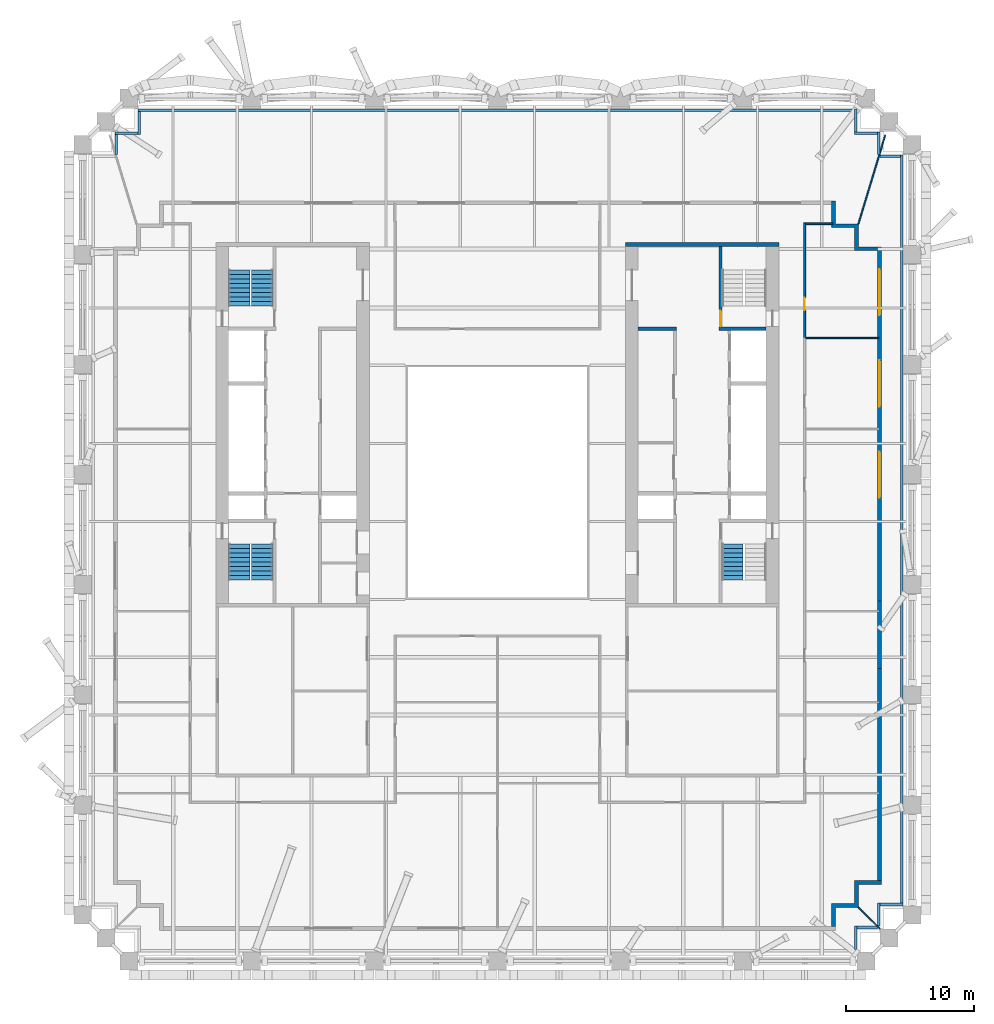
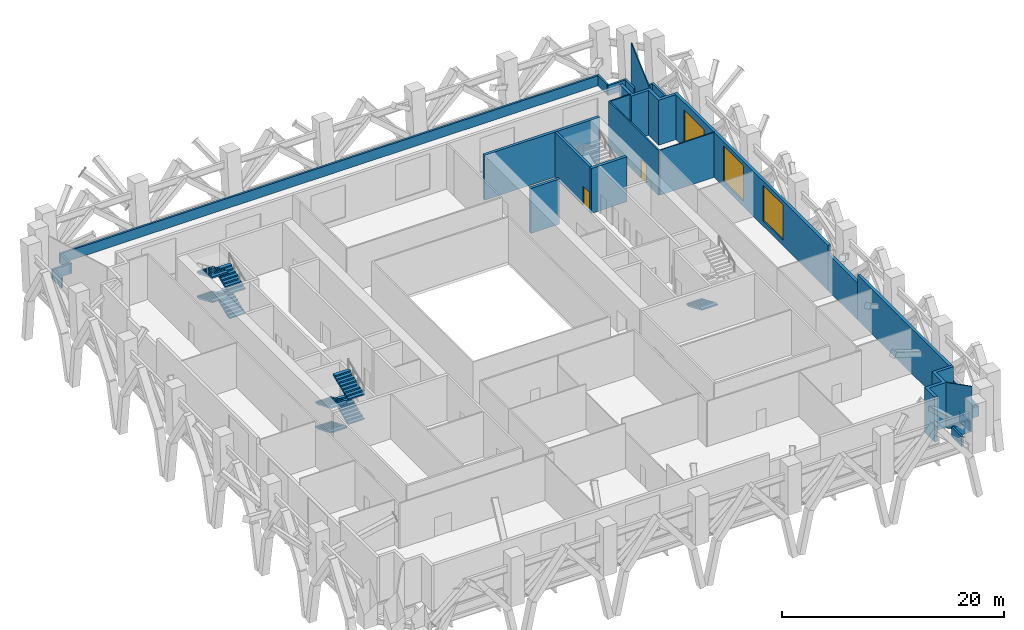
# One storey, part 9 of 19: 27 walls, 9 stair flights, 3 windows, 2 doors, 5 openings, 3 elements without a shape of their own.
"""IFC4 building model written with IfcOpenShell, lengths in metres."""

from ifc_helpers import new_model, si_unit, direction, frame, frame_2d, origin, place, context, subcontext, project, spatial, polyline, rectangle, outline, extrude, material, layer, layer_set, type_object, element, fill, aggregate, save


model = new_model("IFC4")

# Units and contexts
model_context = context("Model", 3, precision=1e-05, world=origin(), true_north=direction((0.0, 1.0)))
body_context = subcontext(model_context, "Body", "Model", "MODEL_VIEW")
ifc_project = project(units=[si_unit("LENGTHUNIT", "METRE"), si_unit("AREAUNIT", "SQUARE_METRE"), si_unit("VOLUMEUNIT", "CUBIC_METRE"), si_unit("PLANEANGLEUNIT", "RADIAN"), si_unit("MASSUNIT", "GRAM", prefix="KILO")], contexts=[model_context])

# Site, building, storey
site_placement = place(None, origin())
site = spatial("IfcSite", under=ifc_project, at=site_placement, CompositionType="ELEMENT")
building_placement = place(site_placement, origin())
building = spatial("IfcBuilding", under=site, at=building_placement, Name="Ogive Exchange Tower", CompositionType="ELEMENT")
storey_placement = place(building_placement, frame((0.0, 0.0, 94.199951171875)))
storey = spatial("IfcBuildingStorey", under=building, at=storey_placement, Name="L20", CompositionType="ELEMENT", Elevation=94.199951171875)

# Wall
ifc_material_1 = material(Name="Gypsum board partition")
ifc_layer_1 = layer(ifc_material_1, 0.300048828125)
ifc_layer_set_1 = layer_set([ifc_layer_1], Name="Core room partition 300 gypsum")
wall_type_1 = type_object("IfcWallType", Name="Core room partition 300 gypsum", PredefinedType="PARTITIONING", material=ifc_layer_set_1)
wall_1_placement = place(storey_placement, frame((11.0, 19.0, 0.0), z_axis=(0.0, 0.0, 1.0), x_axis=(1.0, 0.0, 0.0)))
element("IfcWall", 1, at=wall_1_placement, inside=storey, type_object=wall_type_1, Name="E row B room end wall 7", PredefinedType="PARTITIONING", context=body_context, shape_type="SweptSolid", body=[
    extrude(rectangle(XDim=3.0, YDim=0.300048828125, at=frame_2d((1.5, 0.0))), origin(), (0.0, 0.0, 1.0), 4.949951171875),
])

# Wall, opening, door
ifc_material_2 = material(Name="Fire partition EI 60 150")
ifc_layer_2 = layer(ifc_material_2, 0.14990234375)
ifc_layer_set_2 = layer_set([ifc_layer_2], Name="Fire partition EI 60 150")
wall_type_2 = type_object("IfcWallType", Name="Fire partition EI 60 150", PredefinedType="PARTITIONING", material=ifc_layer_set_2)
wall_2_placement = place(storey_placement, frame((24.0, 27.284912109375, 0.0), z_axis=(0.0, 0.0, 1.0), x_axis=(0.0, -1.0, 0.0)))
wall_2 = element("IfcWall", 2, at=wall_2_placement, inside=storey, type_object=wall_type_2, Name="L20-PWL-043", PredefinedType="PARTITIONING", context=body_context, shape_type="SweptSolid", body=[
    extrude(rectangle(XDim=8.994873046875, YDim=0.14990234375, at=frame_2d((4.49755859375, 0.0))), origin(), (0.0, 0.0, 1.0), 4.949951171875),
])
opening_1_placement = place(wall_2_placement, frame((5.844970703125, 0.0, 0.0)))
opening_1 = element("IfcOpeningElement", 3, at=opening_1_placement, cuts=wall_2, Name="Opening L20-I05", PredefinedType="OPENING", context=body_context, shape_type="SweptSolid", body=[
    extrude(rectangle(XDim=1.0, YDim=2.10009765625, at=frame_2d((0.5, 1.050048828125))), frame((0.0, 0.0849609375, 0.0), z_axis=(0.0, -1.0, 0.0), x_axis=(1.0, 0.0, 0.0)), (0.0, 0.0, 1.0), 0.169921875),
])
ifc_material_3 = material(Name="Fire door FD 30S 1000 x 2100")
door_type_1 = type_object("IfcDoorType", Name="Fire door FD 30S 1000 x 2100", OperationType="NOTDEFINED", PredefinedType="DOOR", material=ifc_material_3)
door_1_placement = place(opening_1_placement, origin())
door_1 = element("IfcDoor", 4, at=door_1_placement, inside=storey, type_object=door_type_1, Name="L20-IDR-005", ObjectType="DT3", OperationType="SINGLE_SWING_LEFT", OverallHeight=2.10009765625, OverallWidth=1.0, PredefinedType="DOOR", context=body_context, shape_type="SweptSolid", body=[
    extrude(rectangle(XDim=1.0, YDim=2.10009765625, at=frame_2d((0.5, 1.050048828125))), frame((0.0, 0.02490234375, 0.0), z_axis=(0.0, -1.0, 0.0), x_axis=(1.0, 0.0, 0.0)), (0.0, 0.0, 1.0), 0.050048828125),
])
fill(opening_1, door_1)

# Walls
wall_3_placement = place(storey_placement, frame((26.199951171875, 27.2099609375, 0.0), z_axis=(0.0, 0.0, 1.0), x_axis=(-1.0, 0.0, 0.0)))
element("IfcWall", 5, at=wall_3_placement, inside=storey, type_object=wall_type_2, Name="L20-PWL-044", PredefinedType="PARTITIONING", context=body_context, shape_type="SweptSolid", body=[
    extrude(rectangle(XDim=2.125, YDim=0.14990234375, at=frame_2d((1.0625, 0.0))), origin(), (0.0, 0.0, 1.0), 4.949951171875),
])
ifc_material_4 = material(Name="Precast concrete C40/50", Category="concrete")
ifc_layer_3 = layer(ifc_material_4, 0.300048828125)
ifc_layer_set_3 = layer_set([ifc_layer_3], Name="Limestone-faced wall 300")
wall_type_3 = type_object("IfcWallType", Name="Limestone-faced wall 300", PredefinedType="STANDARD", material=ifc_layer_set_3)
wall_4_placement = place(storey_placement, frame((29.85009765625, -24.10009765625, 0.0), z_axis=(0.0, 0.0, 1.0), x_axis=(0.0, 1.0, 0.0)))
element("IfcWall", 6, at=wall_4_placement, inside=storey, type_object=wall_type_3, Name="External wall E2", PredefinedType="STANDARD", context=body_context, shape_type="SweptSolid", body=[
    extrude(rectangle(XDim=16.547119140625, YDim=0.300048828125, at=frame_2d((8.2734375, 0.0))), origin(), (0.0, 0.0, 1.0), 4.949951171875),
])
wall_5_placement = place(storey_placement, origin())
element("IfcWall", 7, at=wall_5_placement, inside=storey, type_object=wall_type_3, Name="External corner wall C1", PredefinedType="STANDARD", context=body_context, shape_type="SweptSolid", body=[
    extrude(outline(polyline([(27.89990234375, -25.89990234375), (27.89990234375, -24.10009765625), (30.0, -24.10009765625), (30.0, -24.39990234375), (28.199951171875, -24.39990234375), (28.199951171875, -26.199951171875), (26.39990234375, -26.199951171875), (26.39990234375, -27.699951171875), (26.10009765625, -27.699951171875), (26.10009765625, -25.89990234375), (27.89990234375, -25.89990234375)])), origin(), (0.0, 0.0, 1.0), 4.949951171875),
])
wall_6_placement = place(storey_placement, origin())
element("IfcWall", 8, at=wall_6_placement, inside=storey, type_object=wall_type_3, Name="External corner wall C2", PredefinedType="STANDARD", context=body_context, shape_type="SweptSolid", body=[
    extrude(outline(polyline([(27.89990234375, 26.89990234375), (26.10009765625, 26.89990234375), (26.10009765625, 29.0), (26.39990234375, 29.0), (26.39990234375, 27.199951171875), (28.199951171875, 27.199951171875), (28.199951171875, 25.39990234375), (29.699951171875, 25.39990234375), (29.699951171875, 25.10009765625), (27.89990234375, 25.10009765625), (27.89990234375, 26.89990234375)])), origin(), (0.0, 0.0, 1.0), 4.949951171875),
])
wall_7_placement = place(storey_placement, frame((29.85009765625, -7.552978515625, 0.0), z_axis=(0.0, 0.0, 1.0), x_axis=(0.0, 1.0, 0.0)))
element("IfcWall", 9, at=wall_7_placement, inside=storey, type_object=wall_type_3, Name="External wall E2", PredefinedType="STANDARD", context=body_context, shape_type="SweptSolid", body=[
    extrude(rectangle(XDim=5.300537109375, YDim=0.300048828125, at=frame_2d((2.650390625, 0.0))), origin(), (0.0, 0.0, 1.0), 4.050048828125),
])

# Wall, openings, windows
wall_8_placement = place(storey_placement, frame((29.85009765625, -2.25244140625, 0.0), z_axis=(0.0, 0.0, 1.0), x_axis=(0.0, 1.0, 0.0)))
wall_8 = element("IfcWall", 10, at=wall_8_placement, inside=storey, type_object=wall_type_3, Name="External wall E2", PredefinedType="STANDARD", context=body_context, shape_type="SweptSolid", body=[
    extrude(rectangle(XDim=27.65234375, YDim=0.300048828125, at=frame_2d((13.826171875, 0.0))), origin(), (0.0, 0.0, 1.0), 4.949951171875),
])
opening_2_placement = place(wall_8_placement, frame((8.066650390625, 0.0, 0.60009765625)))
opening_2 = element("IfcOpeningElement", 11, at=opening_2_placement, cuts=wall_8, Name="Opening LV1", PredefinedType="OPENING", context=body_context, shape_type="SweptSolid", body=[
    extrude(rectangle(XDim=3.60009765625, YDim=3.89990234375, at=frame_2d((1.800048828125, 1.949951171875))), frame((0.0, 0.159912109375, 0.0), z_axis=(0.0, -1.0, 0.0), x_axis=(1.0, 0.0, 0.0)), (0.0, 0.0, 1.0), 0.320068359375),
])
opening_3_placement = place(wall_8_placement, frame((15.180908203125, 0.0, 0.60009765625)))
opening_3 = element("IfcOpeningElement", 12, at=opening_3_placement, cuts=wall_8, Name="Opening LV1", PredefinedType="OPENING", context=body_context, shape_type="SweptSolid", body=[
    extrude(rectangle(XDim=3.60009765625, YDim=3.89990234375, at=frame_2d((1.800048828125, 1.949951171875))), frame((0.0, 0.159912109375, 0.0), z_axis=(0.0, -1.0, 0.0), x_axis=(1.0, 0.0, 0.0)), (0.0, 0.0, 1.0), 0.320068359375),
])
opening_4_placement = place(wall_8_placement, frame((22.29541015625, 0.0, 0.60009765625)))
opening_4 = element("IfcOpeningElement", 13, at=opening_4_placement, cuts=wall_8, Name="Opening LV1E", PredefinedType="OPENING", context=body_context, shape_type="SweptSolid", body=[
    extrude(rectangle(XDim=3.60009765625, YDim=3.550048828125, at=frame_2d((1.800048828125, 1.77490234375))), frame((0.0, 0.159912109375, 0.0), z_axis=(0.0, -1.0, 0.0), x_axis=(1.0, 0.0, 0.0)), (0.0, 0.0, 1.0), 0.320068359375),
])
ifc_material_5 = material(Name="Anodised aluminium louvre", Category="aluminium")
window_type_1 = type_object("IfcWindowType", Name="Plant louvre 3600 x 3550", PartitioningType="DOUBLE_PANEL_HORIZONTAL", PredefinedType="WINDOW", material=ifc_material_5)
window_1_placement = place(opening_4_placement, origin())
window_1 = element("IfcWindow", 14, at=window_1_placement, inside=storey, type_object=window_type_1, Name="Louvre E06", OverallHeight=3.550048828125, OverallWidth=3.60009765625, PartitioningType="DOUBLE_PANEL_HORIZONTAL", PredefinedType="WINDOW", context=body_context, shape_type="SweptSolid", body=[
    extrude(rectangle(XDim=3.60009765625, YDim=3.550048828125, at=frame_2d((1.800048828125, 1.77490234375))), frame((0.0, 0.030029296875, 0.0), z_axis=(0.0, -1.0, 0.0), x_axis=(1.0, 0.0, 0.0)), (0.0, 0.0, 1.0), 0.06005859375),
])
fill(opening_4, window_1)
window_type_2 = type_object("IfcWindowType", Name="Plant louvre 3600 x 3900", PartitioningType="DOUBLE_PANEL_HORIZONTAL", PredefinedType="WINDOW", material=ifc_material_5)
window_2_placement = place(opening_2_placement, origin())
window_2 = element("IfcWindow", 15, at=window_2_placement, inside=storey, type_object=window_type_2, Name="Louvre E04", OverallHeight=3.89990234375, OverallWidth=3.60009765625, PartitioningType="DOUBLE_PANEL_HORIZONTAL", PredefinedType="WINDOW", context=body_context, shape_type="SweptSolid", body=[
    extrude(rectangle(XDim=3.60009765625, YDim=3.89990234375, at=frame_2d((1.800048828125, 1.949951171875))), frame((0.0, 0.030029296875, 0.0), z_axis=(0.0, -1.0, 0.0), x_axis=(1.0, 0.0, 0.0)), (0.0, 0.0, 1.0), 0.06005859375),
])
fill(opening_2, window_2)
window_3_placement = place(opening_3_placement, origin())
window_3 = element("IfcWindow", 16, at=window_3_placement, inside=storey, type_object=window_type_2, Name="Louvre E05", OverallHeight=3.89990234375, OverallWidth=3.60009765625, PartitioningType="DOUBLE_PANEL_HORIZONTAL", PredefinedType="WINDOW", context=body_context, shape_type="SweptSolid", body=[
    extrude(rectangle(XDim=3.60009765625, YDim=3.89990234375, at=frame_2d((1.800048828125, 1.949951171875))), frame((0.0, 0.030029296875, 0.0), z_axis=(0.0, -1.0, 0.0), x_axis=(1.0, 0.0, 0.0)), (0.0, 0.0, 1.0), 0.06005859375),
])
fill(opening_3, window_3)

# Walls
ifc_material_6 = material(Name="Laminated safety glass in steel frame", Category="steel")
ifc_layer_4 = layer(ifc_material_6, 0.10009765625)
ifc_layer_set_4 = layer_set([ifc_layer_4], Name="Loggia end screen 100")
wall_type_4 = type_object("IfcWallType", Name="Loggia end screen 100", PredefinedType="STANDARD", material=ifc_layer_set_4)
wall_9_placement = place(storey_placement, frame((28.199951171875, -26.199951171875, -0.050048828125), z_axis=(0.0, 0.0, 1.0), x_axis=(0.707106781187, -0.707106781187, 0.0)))
element("IfcWall", 17, at=wall_9_placement, inside=storey, type_object=wall_type_4, Name="Loggia end screen C1", PredefinedType="STANDARD", context=body_context, shape_type="SweptSolid", body=[
    extrude(rectangle(XDim=2.384521484375, YDim=0.10009765625, at=frame_2d((1.1923828125, 0.0))), origin(), (0.0, 0.0, 1.0), 5.0),
])
wall_10_placement = place(storey_placement, frame((28.199951171875, 27.199951171875, -0.050048828125), z_axis=(0.0, 0.0, 1.0), x_axis=(0.29036881155, 0.956914809834, 0.0)))
element("IfcWall", 18, at=wall_10_placement, inside=storey, type_object=wall_type_4, Name="Loggia end screen C2", PredefinedType="STANDARD", context=body_context, shape_type="SweptSolid", body=[
    extrude(rectangle(XDim=7.255126953125, YDim=0.10009765625, at=frame_2d((3.62744140625, 0.0))), origin(), (0.0, 0.0, 1.0), 5.0),
])
ifc_material_7 = material(Name="Partition 100 gypsum")
ifc_layer_5 = layer(ifc_material_7, 0.10009765625)
ifc_layer_set_5 = layer_set([ifc_layer_5], Name="Partition 100 gypsum")
wall_type_5 = type_object("IfcWallType", Name="Partition 100 gypsum", PredefinedType="PARTITIONING", material=ifc_layer_set_5)
wall_11_placement = place(storey_placement, frame((24.074951171875, 18.2900390625, 0.0), z_axis=(0.0, 0.0, 1.0), x_axis=(1.0, 0.0, 0.0)))
element("IfcWall", 19, at=wall_11_placement, inside=storey, type_object=wall_type_5, Name="L20-PWL-042", PredefinedType="PARTITIONING", context=body_context, shape_type="SweptSolid", body=[
    extrude(rectangle(XDim=5.72509765625, YDim=0.10009765625, at=frame_2d((2.862548828125, 0.0))), origin(), (0.0, 0.0, 1.0), 4.949951171875),
])
ifc_layer_6 = layer(ifc_material_4, 0.199951171875)
ifc_layer_set_6 = layer_set([ifc_layer_6], Name="Plant deck parapet 200")
wall_type_6 = type_object("IfcWallType", Name="Plant deck parapet 200", PredefinedType="STANDARD", material=ifc_layer_set_6)
wall_12_placement = place(storey_placement, frame((27.97998046875, -29.47998046875, -0.050048828125), z_axis=(0.0, 0.0, 1.0), x_axis=(0.0, 1.0, 0.0)))
element("IfcWall", 20, at=wall_12_placement, inside=storey, type_object=wall_type_6, Name="Plant deck parapet 2", PredefinedType="STANDARD", context=body_context, shape_type="SweptSolid", body=[
    extrude(rectangle(XDim=1.800048828125, YDim=0.199951171875, at=frame_2d((0.89990234375, 0.0))), origin(), (0.0, 0.0, 1.0), 1.10009765625),
])
wall_13_placement = place(storey_placement, frame((28.080078125, -27.780029296875, -0.050048828125), z_axis=(0.0, 0.0, 1.0), x_axis=(1.0, 0.0, 0.0)))
element("IfcWall", 21, at=wall_13_placement, inside=storey, type_object=wall_type_6, Name="Plant deck parapet 3", PredefinedType="STANDARD", context=body_context, shape_type="SweptSolid", body=[
    extrude(rectangle(XDim=1.60791015625, YDim=0.199951171875, at=frame_2d((0.803955078125, 0.0))), origin(), (0.0, 0.0, 1.0), 1.10009765625),
])
for number, where, z_axis, x_axis, name in (
    (22, (29.780029296875, -27.679931640625, -0.050048828125), (0.0, 0.0, 1.0), (0.0, 1.0, 0.0), "Plant deck parapet 4"),
    (23, (29.8798828125, -25.97998046875, -0.050048828125), (0.0, 0.0, 1.0), (1.0, 0.0, 0.0), "Plant deck parapet 5"),
):
    element("IfcWall", number, at=place(storey_placement, frame(where, z_axis=z_axis, x_axis=x_axis)), inside=storey, type_object=wall_type_6, Name=name, PredefinedType="STANDARD", context=body_context, shape_type="SweptSolid", body=[
        extrude(rectangle(XDim=1.800048828125, YDim=0.199951171875, at=frame_2d((0.89990234375, 0.0))), origin(), (0.0, 0.0, 1.0), 1.10009765625),
    ])
wall_14_placement = place(storey_placement, frame((31.580078125, -25.8798828125, -0.050048828125), z_axis=(0.0, 0.0, 1.0), x_axis=(0.0, 1.0, 0.0)))
element("IfcWall", 24, at=wall_14_placement, inside=storey, type_object=wall_type_6, Name="Plant deck parapet 6", PredefinedType="STANDARD", context=body_context, shape_type="SweptSolid", body=[
    extrude(rectangle(XDim=58.468994140625, YDim=0.199951171875, at=frame_2d((29.234375, 0.0))), origin(), (0.0, 0.0, 1.0), 1.10009765625),
])
wall_15_placement = place(storey_placement, frame((31.47998046875, 32.489013671875, -0.050048828125), z_axis=(0.0, 0.0, 1.0), x_axis=(-1.0, 0.0, 0.0)))
element("IfcWall", 25, at=wall_15_placement, inside=storey, type_object=wall_type_6, Name="Plant deck parapet 7", PredefinedType="STANDARD", context=body_context, shape_type="SweptSolid", body=[
    extrude(rectangle(XDim=1.607177734375, YDim=0.199951171875, at=frame_2d((0.8037109375, 0.0))), origin(), (0.0, 0.0, 1.0), 1.10009765625),
])
wall_16_placement = place(storey_placement, frame((29.780029296875, 32.630615234375, -0.050048828125), z_axis=(0.0, 0.0, 1.0), x_axis=(0.0, 1.0, 0.0)))
element("IfcWall", 26, at=wall_16_placement, inside=storey, type_object=wall_type_6, Name="Plant deck parapet 8", PredefinedType="STANDARD", context=body_context, shape_type="SweptSolid", body=[
    extrude(rectangle(XDim=1.758544921875, YDim=0.199951171875, at=frame_2d((0.87939453125, 0.0))), origin(), (0.0, 0.0, 1.0), 1.10009765625),
])
for number, where, z_axis, x_axis, name in (
    (27, (29.679931640625, 34.2890625, -0.050048828125), (0.0, 0.0, 1.0), (-1.0, 0.0, 0.0), "Plant deck parapet 9"),
    (28, (27.97998046875, 34.38916015625, -0.050048828125), (0.0, 0.0, 1.0), (0.0, 1.0, 0.0), "Plant deck parapet 10"),
):
    element("IfcWall", number, at=place(storey_placement, frame(where, z_axis=z_axis, x_axis=x_axis)), inside=storey, type_object=wall_type_6, Name=name, PredefinedType="STANDARD", context=body_context, shape_type="SweptSolid", body=[
        extrude(rectangle(XDim=1.800048828125, YDim=0.199951171875, at=frame_2d((0.89990234375, 0.0))), origin(), (0.0, 0.0, 1.0), 1.10009765625),
    ])
wall_17_placement = place(storey_placement, frame((27.8798828125, 36.089111328125, -0.050048828125), z_axis=(0.0, 0.0, 1.0), x_axis=(-1.0, 0.0, 0.0)))
element("IfcWall", 29, at=wall_17_placement, inside=storey, type_object=wall_type_6, Name="Plant deck parapet 11", PredefinedType="STANDARD", context=body_context, shape_type="SweptSolid", body=[
    extrude(rectangle(XDim=55.9599609375, YDim=0.199951171875, at=frame_2d((27.97998046875, 0.0))), origin(), (0.0, 0.0, 1.0), 1.10009765625),
])
for number, where, z_axis, x_axis, name in (
    (30, (-27.97998046875, 35.989013671875, -0.050048828125), (0.0, 0.0, 1.0), (0.0, -1.0, 0.0), "Plant deck parapet 12"),
    (31, (-28.080078125, 34.2890625, -0.050048828125), (0.0, 0.0, 1.0), (-1.0, 0.0, 0.0), "Plant deck parapet 13"),
):
    element("IfcWall", number, at=place(storey_placement, frame(where, z_axis=z_axis, x_axis=x_axis)), inside=storey, type_object=wall_type_6, Name=name, PredefinedType="STANDARD", context=body_context, shape_type="SweptSolid", body=[
        extrude(rectangle(XDim=1.7998046875, YDim=0.199951171875, at=frame_2d((0.89990234375, 0.0))), origin(), (0.0, 0.0, 1.0), 1.10009765625),
    ])
wall_18_placement = place(storey_placement, frame((-29.780029296875, 34.189208984375, -0.050048828125), z_axis=(0.0, 0.0, 1.0), x_axis=(0.0, -1.0, 0.0)))
element("IfcWall", 32, at=wall_18_placement, inside=storey, type_object=wall_type_6, Name="Plant deck parapet 14", PredefinedType="STANDARD", context=body_context, shape_type="SweptSolid", body=[
    extrude(rectangle(XDim=1.55859375, YDim=0.199951171875, at=frame_2d((0.779296875, 0.0))), origin(), (0.0, 0.0, 1.0), 1.10009765625),
])

# Wall, opening, door
ifc_material_8 = material(Name="Concrete C70/85", Category="concrete")
ifc_layer_7 = layer(ifc_material_8, 0.25)
ifc_layer_set_7 = layer_set([ifc_layer_7], Name="RC core wall 250 C70/85")
wall_type_7 = type_object("IfcWallType", Name="RC core wall 250 C70/85", PredefinedType="SHEAR", material=ifc_layer_set_7)
wall_19_placement = place(storey_placement, frame((17.425048828125, 19.14990234375, 0.0), z_axis=(0.0, 0.0, 1.0), x_axis=(0.0, 1.0, 0.0)))
wall_19 = element("IfcWall", 33, at=wall_19_placement, inside=storey, type_object=wall_type_7, Name="E stair N front wall", PredefinedType="SHEAR", context=body_context, shape_type="SweptSolid", body=[
    extrude(rectangle(XDim=6.300048828125, YDim=0.25, at=frame_2d((3.14990234375, 0.0))), origin(), (0.0, 0.0, 1.0), 4.949951171875),
])
opening_5_placement = place(wall_19_placement, frame((0.050048828125, 0.0, 0.0)))
opening_5 = element("IfcOpeningElement", 34, at=opening_5_placement, cuts=wall_19, Name="Opening L20-C35", PredefinedType="OPENING", context=body_context, shape_type="SweptSolid", body=[
    extrude(rectangle(XDim=1.199951171875, YDim=2.10009765625, at=frame_2d((0.60009765625, 1.050048828125))), frame((0.0, 0.135009765625, 0.0), z_axis=(0.0, -1.0, 0.0), x_axis=(1.0, 0.0, 0.0)), (0.0, 0.0, 1.0), 0.27001953125),
])
ifc_material_9 = material(Name="Steel fire door", Category="steel")
door_type_2 = type_object("IfcDoorType", Name="Stair door FD90 1200 x 2100", OperationType="NOTDEFINED", PredefinedType="DOOR", material=ifc_material_9)
door_2_placement = place(opening_5_placement, frame((1.199951171875, 0.0, 0.0), z_axis=(0.0, 0.0, 1.0), x_axis=(-1.0, 0.0, 0.0)))
door_2 = element("IfcDoor", 35, at=door_2_placement, inside=storey, type_object=door_type_2, Name="Stair door", ObjectType="CD5", OperationType="SINGLE_SWING_LEFT", OverallHeight=2.10009765625, OverallWidth=1.199951171875, PredefinedType="DOOR", context=body_context, shape_type="SweptSolid", body=[
    extrude(rectangle(XDim=1.199951171875, YDim=2.10009765625, at=frame_2d((0.60009765625, 1.050048828125))), frame((0.0, 0.02490234375, 0.0), z_axis=(0.0, -1.0, 0.0), x_axis=(1.0, 0.0, 0.0)), (0.0, 0.0, 1.0), 0.050048828125),
])
fill(opening_5, door_2)

# Walls
ifc_layer_8 = layer(ifc_material_8, 0.300048828125)
ifc_layer_set_8 = layer_set([ifc_layer_8], Name="RC core wall 300 C70/85")
wall_type_8 = type_object("IfcWallType", Name="RC core wall 300 C70/85", PredefinedType="SHEAR", material=ifc_layer_set_8)
wall_20_placement = place(storey_placement, frame((10.0, 25.60009765625, 0.0), z_axis=(0.0, 0.0, 1.0), x_axis=(1.0, 0.0, 0.0)))
element("IfcWall", 36, at=wall_20_placement, inside=storey, type_object=wall_type_8, Name="E north end wall", PredefinedType="SHEAR", context=body_context, shape_type="SweptSolid", body=[
    extrude(rectangle(XDim=12.0, YDim=0.300048828125, at=frame_2d((6.0, 0.0))), origin(), (0.0, 0.0, 1.0), 4.949951171875),
])
wall_21_placement = place(storey_placement, frame((17.300048828125, 19.0, 0.0), z_axis=(0.0, 0.0, 1.0), x_axis=(1.0, 0.0, 0.0)))
element("IfcWall", 37, at=wall_21_placement, inside=storey, type_object=wall_type_8, Name="E stair N south wall", PredefinedType="SHEAR", context=body_context, shape_type="SweptSolid", body=[
    extrude(rectangle(XDim=3.699951171875, YDim=0.300048828125, at=frame_2d((1.85009765625, 0.0))), origin(), (0.0, 0.0, 1.0), 4.949951171875),
])

# Stair, stair flights
ifc_material_10 = material(Name="Concrete C40/50", Category="concrete")
stair_type = type_object("IfcStairType", Name="Exit stair 1650 wide", PredefinedType="HALF_TURN_STAIR", material=ifc_material_10)
stair_1_placement = place(storey_placement, origin())
stair_1 = element("IfcStair", 38, at=stair_1_placement, inside=storey, type_object=stair_type, Name="L20 exit stair ST1", PredefinedType="HALF_TURN_STAIR")
stair_flight_type = type_object("IfcStairFlightType", Name="Stair flight 1650 wide", PredefinedType="STRAIGHT", material=ifc_material_10)
stair_flight_1_placement = place(storey_placement, frame((-20.175048828125, 2.199951171875, 0.0), z_axis=(0.0, 0.0, 1.0), x_axis=(0.0, -1.0, 0.0)))
stair_flight_1 = element("IfcStairFlight", 39, at=stair_flight_1_placement, type_object=stair_flight_type, Name="ST1 flight 1", NumberOfRisers=9, NumberOfTreads=8, PredefinedType="STRAIGHT", RiserHeight=0.15, TreadLength=0.351, context=body_context, shape_type="SweptSolid", body=[
    extrude(outline(polyline([(0.0, 0.0), (0.0, 0.14990234375), (0.35107421875, 0.14990234375), (0.35107421875, 0.300048828125), (0.701904296875, 0.300048828125), (0.701904296875, 0.449951171875), (1.052978515625, 0.449951171875), (1.052978515625, 0.60009765625), (1.404052734375, 0.60009765625), (1.404052734375, 0.75), (1.7548828125, 0.75), (1.7548828125, 0.89990234375), (2.10595703125, 0.89990234375), (2.10595703125, 1.050048828125), (2.45703125, 1.050048828125), (2.45703125, 1.199951171875), (2.80810546875, 1.199951171875), (2.80810546875, 1.35009765625), (2.80810546875, 1.036865234375), (0.38134765625, 0.0), (0.0, 0.0)])), frame((0.0, 0.824951171875, 0.0), z_axis=(0.0, -1.0, 0.0), x_axis=(1.0, 0.0, 0.0)), (0.0, 0.0, 1.0), 1.64990234375),
])
stair_flight_2_placement = place(storey_placement, frame((-18.375, -0.60791015625, 1.35009765625), z_axis=(0.0, 0.0, 1.0), x_axis=(0.0, 1.0, 0.0)))
stair_flight_2 = element("IfcStairFlight", 40, at=stair_flight_2_placement, type_object=stair_flight_type, Name="ST1 flight 2", NumberOfRisers=9, NumberOfTreads=8, PredefinedType="STRAIGHT", RiserHeight=0.15, TreadLength=0.351, context=body_context, shape_type="SweptSolid", body=[
    extrude(outline(polyline([(0.0, 0.0), (0.0, 0.14990234375), (0.35107421875, 0.14990234375), (0.35107421875, 0.300048828125), (0.701904296875, 0.300048828125), (0.701904296875, 0.449951171875), (1.052978515625, 0.449951171875), (1.052978515625, 0.60009765625), (1.404052734375, 0.60009765625), (1.404052734375, 0.75), (1.7548828125, 0.75), (1.7548828125, 0.89990234375), (2.10595703125, 0.89990234375), (2.10595703125, 1.050048828125), (2.45703125, 1.050048828125), (2.45703125, 1.199951171875), (2.80810546875, 1.199951171875), (2.80810546875, 1.35009765625), (2.80810546875, 1.036865234375), (0.38134765625, 0.0), (0.0, 0.0)])), frame((0.0, 0.824951171875, 0.0), z_axis=(0.0, -1.0, 0.0), x_axis=(1.0, 0.0, 0.0)), (0.0, 0.0, 1.0), 1.64990234375),
])
stair_flight_3_placement = place(storey_placement, frame((-20.175048828125, 2.199951171875, 2.699951171875), z_axis=(0.0, 0.0, 1.0), x_axis=(0.0, -1.0, 0.0)))
stair_flight_3 = element("IfcStairFlight", 41, at=stair_flight_3_placement, type_object=stair_flight_type, Name="ST1 flight 3", NumberOfRisers=9, NumberOfTreads=8, PredefinedType="STRAIGHT", RiserHeight=0.15, TreadLength=0.351, context=body_context, shape_type="SweptSolid", body=[
    extrude(outline(polyline([(0.0, 0.0), (0.0, 0.14990234375), (0.35107421875, 0.14990234375), (0.35107421875, 0.300048828125), (0.701904296875, 0.300048828125), (0.701904296875, 0.449951171875), (1.052978515625, 0.449951171875), (1.052978515625, 0.60009765625), (1.404052734375, 0.60009765625), (1.404052734375, 0.75), (1.7548828125, 0.75), (1.7548828125, 0.89990234375), (2.10595703125, 0.89990234375), (2.10595703125, 1.050048828125), (2.45703125, 1.050048828125), (2.45703125, 1.199951171875), (2.80810546875, 1.199951171875), (2.80810546875, 1.35009765625), (2.80810546875, 1.036865234375), (0.38134765625, 0.0), (0.0, 0.0)])), frame((0.0, 0.824951171875, 0.0), z_axis=(0.0, -1.0, 0.0), x_axis=(1.0, 0.0, 0.0)), (0.0, 0.0, 1.0), 1.64990234375),
])
stair_flight_4_placement = place(storey_placement, frame((-18.375, -0.60791015625, 4.050048828125), z_axis=(0.0, 0.0, 1.0), x_axis=(0.0, 1.0, 0.0)))
stair_flight_4 = element("IfcStairFlight", 42, at=stair_flight_4_placement, type_object=stair_flight_type, Name="ST1 flight 4", NumberOfRisers=9, NumberOfTreads=8, PredefinedType="STRAIGHT", RiserHeight=0.15, TreadLength=0.351, context=body_context, shape_type="SweptSolid", body=[
    extrude(outline(polyline([(0.0, 0.0), (0.0, 0.14990234375), (0.35107421875, 0.14990234375), (0.35107421875, 0.300048828125), (0.701904296875, 0.300048828125), (0.701904296875, 0.449951171875), (1.052978515625, 0.449951171875), (1.052978515625, 0.60009765625), (1.404052734375, 0.60009765625), (1.404052734375, 0.75), (1.7548828125, 0.75), (1.7548828125, 0.89990234375), (2.10595703125, 0.89990234375), (2.10595703125, 1.050048828125), (2.45703125, 1.050048828125), (2.45703125, 1.199951171875), (2.80810546875, 1.199951171875), (2.80810546875, 1.35009765625), (2.80810546875, 1.036865234375), (0.38134765625, 0.0), (0.0, 0.0)])), frame((0.0, 0.824951171875, 0.0), z_axis=(0.0, -1.0, 0.0), x_axis=(1.0, 0.0, 0.0)), (0.0, 0.0, 1.0), 1.64990234375),
])
aggregate(stair_1, [stair_flight_1, stair_flight_2, stair_flight_3, stair_flight_4])

stair_2_placement = place(storey_placement, origin())
stair_2 = element("IfcStair", 43, at=stair_2_placement, inside=storey, type_object=stair_type, Name="L20 exit stair ST2", PredefinedType="HALF_TURN_STAIR")
stair_flight_5_placement = place(storey_placement, frame((-18.375, 20.800048828125, 0.0), z_axis=(0.0, 0.0, 1.0), x_axis=(0.0, 1.0, 0.0)))
stair_flight_5 = element("IfcStairFlight", 44, at=stair_flight_5_placement, type_object=stair_flight_type, Name="ST2 flight 1", NumberOfRisers=9, NumberOfTreads=8, PredefinedType="STRAIGHT", RiserHeight=0.15, TreadLength=0.351, context=body_context, shape_type="SweptSolid", body=[
    extrude(outline(polyline([(0.0, 0.0), (0.0, 0.14990234375), (0.35107421875, 0.14990234375), (0.35107421875, 0.300048828125), (0.701904296875, 0.300048828125), (0.701904296875, 0.449951171875), (1.052978515625, 0.449951171875), (1.052978515625, 0.60009765625), (1.404052734375, 0.60009765625), (1.404052734375, 0.75), (1.7548828125, 0.75), (1.7548828125, 0.89990234375), (2.10595703125, 0.89990234375), (2.10595703125, 1.050048828125), (2.45703125, 1.050048828125), (2.45703125, 1.199951171875), (2.80810546875, 1.199951171875), (2.80810546875, 1.35009765625), (2.80810546875, 1.036865234375), (0.38134765625, 0.0), (0.0, 0.0)])), frame((0.0, 0.824951171875, 0.0), z_axis=(0.0, -1.0, 0.0), x_axis=(1.0, 0.0, 0.0)), (0.0, 0.0, 1.0), 1.64990234375),
])
stair_flight_6_placement = place(storey_placement, frame((-20.175048828125, 23.60791015625, 1.35009765625), z_axis=(0.0, 0.0, 1.0), x_axis=(0.0, -1.0, 0.0)))
stair_flight_6 = element("IfcStairFlight", 45, at=stair_flight_6_placement, type_object=stair_flight_type, Name="ST2 flight 2", NumberOfRisers=9, NumberOfTreads=8, PredefinedType="STRAIGHT", RiserHeight=0.15, TreadLength=0.351, context=body_context, shape_type="SweptSolid", body=[
    extrude(outline(polyline([(0.0, 0.0), (0.0, 0.14990234375), (0.35107421875, 0.14990234375), (0.35107421875, 0.300048828125), (0.701904296875, 0.300048828125), (0.701904296875, 0.449951171875), (1.052978515625, 0.449951171875), (1.052978515625, 0.60009765625), (1.404052734375, 0.60009765625), (1.404052734375, 0.75), (1.7548828125, 0.75), (1.7548828125, 0.89990234375), (2.10595703125, 0.89990234375), (2.10595703125, 1.050048828125), (2.45703125, 1.050048828125), (2.45703125, 1.199951171875), (2.80810546875, 1.199951171875), (2.80810546875, 1.35009765625), (2.80810546875, 1.036865234375), (0.38134765625, 0.0), (0.0, 0.0)])), frame((0.0, 0.824951171875, 0.0), z_axis=(0.0, -1.0, 0.0), x_axis=(1.0, 0.0, 0.0)), (0.0, 0.0, 1.0), 1.64990234375),
])
stair_flight_7_placement = place(storey_placement, frame((-18.375, 20.800048828125, 2.699951171875), z_axis=(0.0, 0.0, 1.0), x_axis=(0.0, 1.0, 0.0)))
stair_flight_7 = element("IfcStairFlight", 46, at=stair_flight_7_placement, type_object=stair_flight_type, Name="ST2 flight 3", NumberOfRisers=9, NumberOfTreads=8, PredefinedType="STRAIGHT", RiserHeight=0.15, TreadLength=0.351, context=body_context, shape_type="SweptSolid", body=[
    extrude(outline(polyline([(0.0, 0.0), (0.0, 0.14990234375), (0.35107421875, 0.14990234375), (0.35107421875, 0.300048828125), (0.701904296875, 0.300048828125), (0.701904296875, 0.449951171875), (1.052978515625, 0.449951171875), (1.052978515625, 0.60009765625), (1.404052734375, 0.60009765625), (1.404052734375, 0.75), (1.7548828125, 0.75), (1.7548828125, 0.89990234375), (2.10595703125, 0.89990234375), (2.10595703125, 1.050048828125), (2.45703125, 1.050048828125), (2.45703125, 1.199951171875), (2.80810546875, 1.199951171875), (2.80810546875, 1.35009765625), (2.80810546875, 1.036865234375), (0.38134765625, 0.0), (0.0, 0.0)])), frame((0.0, 0.824951171875, 0.0), z_axis=(0.0, -1.0, 0.0), x_axis=(1.0, 0.0, 0.0)), (0.0, 0.0, 1.0), 1.64990234375),
])
stair_flight_8_placement = place(storey_placement, frame((-20.175048828125, 23.60791015625, 4.050048828125), z_axis=(0.0, 0.0, 1.0), x_axis=(0.0, -1.0, 0.0)))
stair_flight_8 = element("IfcStairFlight", 47, at=stair_flight_8_placement, type_object=stair_flight_type, Name="ST2 flight 4", NumberOfRisers=9, NumberOfTreads=8, PredefinedType="STRAIGHT", RiserHeight=0.15, TreadLength=0.351, context=body_context, shape_type="SweptSolid", body=[
    extrude(outline(polyline([(0.0, 0.0), (0.0, 0.14990234375), (0.35107421875, 0.14990234375), (0.35107421875, 0.300048828125), (0.701904296875, 0.300048828125), (0.701904296875, 0.449951171875), (1.052978515625, 0.449951171875), (1.052978515625, 0.60009765625), (1.404052734375, 0.60009765625), (1.404052734375, 0.75), (1.7548828125, 0.75), (1.7548828125, 0.89990234375), (2.10595703125, 0.89990234375), (2.10595703125, 1.050048828125), (2.45703125, 1.050048828125), (2.45703125, 1.199951171875), (2.80810546875, 1.199951171875), (2.80810546875, 1.35009765625), (2.80810546875, 1.036865234375), (0.38134765625, 0.0), (0.0, 0.0)])), frame((0.0, 0.824951171875, 0.0), z_axis=(0.0, -1.0, 0.0), x_axis=(1.0, 0.0, 0.0)), (0.0, 0.0, 1.0), 1.64990234375),
])
aggregate(stair_2, [stair_flight_5, stair_flight_6, stair_flight_7, stair_flight_8])

# Stair, stair flight
stair_3_placement = place(storey_placement, origin())
stair_3 = element("IfcStair", 48, at=stair_3_placement, inside=storey, type_object=stair_type, Name="L20 exit stair ST3", PredefinedType="HALF_TURN_STAIR")
stair_flight_9_placement = place(storey_placement, frame((18.375, 2.199951171875, 0.0), z_axis=(0.0, 0.0, 1.0), x_axis=(0.0, -1.0, 0.0)))
stair_flight_9 = element("IfcStairFlight", 49, at=stair_flight_9_placement, type_object=stair_flight_type, Name="ST3 flight 1", NumberOfRisers=9, NumberOfTreads=8, PredefinedType="STRAIGHT", RiserHeight=0.15, TreadLength=0.351, context=body_context, shape_type="SweptSolid", body=[
    extrude(outline(polyline([(0.0, 0.0), (0.0, 0.14990234375), (0.35107421875, 0.14990234375), (0.35107421875, 0.300048828125), (0.701904296875, 0.300048828125), (0.701904296875, 0.449951171875), (1.052978515625, 0.449951171875), (1.052978515625, 0.60009765625), (1.404052734375, 0.60009765625), (1.404052734375, 0.75), (1.7548828125, 0.75), (1.7548828125, 0.89990234375), (2.10595703125, 0.89990234375), (2.10595703125, 1.050048828125), (2.45703125, 1.050048828125), (2.45703125, 1.199951171875), (2.80810546875, 1.199951171875), (2.80810546875, 1.35009765625), (2.80810546875, 1.036865234375), (0.38134765625, 0.0), (0.0, 0.0)])), frame((0.0, 0.824951171875, 0.0), z_axis=(0.0, -1.0, 0.0), x_axis=(1.0, 0.0, 0.0)), (0.0, 0.0, 1.0), 1.64990234375),
])
aggregate(stair_3, [stair_flight_9])

save(model, "model.ifc")
